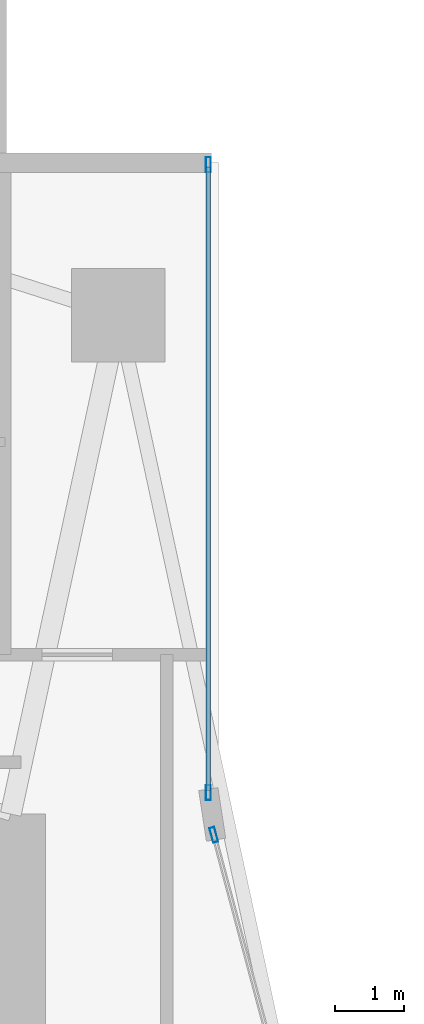
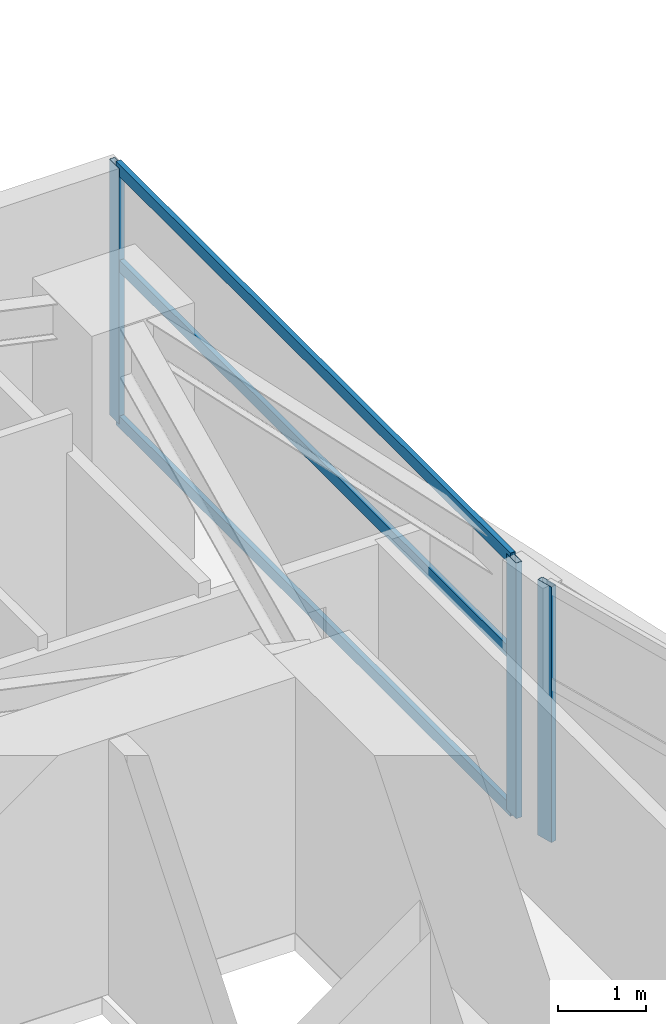
# One storey, part 18 of 30: 6 members, 2 elements without a shape of their own.
"""IFC4 building model written with IfcOpenShell, lengths in metres."""

from ifc_helpers import new_model, si_unit, direction, frame, origin, origin_2d, place, context, subcontext, project, spatial, hollow_rectangle, extrude, material, layer, layer_set, material_profile, profile_set, type_object, element, aggregate, save


model = new_model("IFC4")

# Units and contexts
model_context = context("Model", 3, precision=1e-05, world=origin(), true_north=direction((0.0, 1.0)))
body_context = subcontext(model_context, "Body", "Model", "MODEL_VIEW")
ifc_project = project(units=[si_unit("LENGTHUNIT", "METRE"), si_unit("AREAUNIT", "SQUARE_METRE"), si_unit("VOLUMEUNIT", "CUBIC_METRE"), si_unit("PLANEANGLEUNIT", "RADIAN"), si_unit("MASSUNIT", "GRAM", prefix="KILO")], contexts=[model_context])

# Site, building, storey
site_placement = place(None, origin())
site = spatial("IfcSite", under=ifc_project, at=site_placement, CompositionType="ELEMENT")
building_placement = place(site_placement, origin())
building = spatial("IfcBuilding", under=site, at=building_placement, Name="Calvorn Quay Hotel", CompositionType="ELEMENT")
storey_placement = place(building_placement, frame((0.0, 0.0, 27.0)))
storey = spatial("IfcBuildingStorey", under=building, at=storey_placement, Name="L05", CompositionType="ELEMENT", Elevation=27.0)

# Curtain wall, member
ifc_material_1 = material(Name="Pale Anodised Aluminium and Low-E Glass", Category="aluminium")
ifc_layer = layer(ifc_material_1, 0.219970703125)
ifc_layer_set = layer_set([ifc_layer], Name="CW-SYS-Z1")
curtain_wall_type = type_object("IfcCurtainWallType", Name="CW-SYS-Z1", PredefinedType="NOTDEFINED", material=ifc_layer_set)
curtain_wall_1_placement = place(storey_placement, origin())
curtain_wall_1 = element("IfcCurtainWall", 1, at=curtain_wall_1_placement, inside=storey, type_object=curtain_wall_type, Name="Inner Court Curtain Wall L05-IC1", PredefinedType="NOTDEFINED")
ifc_material_2 = material(Name="Pale Anodised Aluminium 6063-T6", Category="aluminium")
ifc_material_profile_1 = material_profile(ifc_material_2, hollow_rectangle(XDim=0.074951171875, YDim=0.219970703125, WallThickness=0.00439453125, at=origin_2d()), Name="ALU-M220x75x4.5")
ifc_profile_set_1 = profile_set([ifc_material_profile_1], Name="Pale Anodised Aluminium 6063-T6")
member_type_1 = type_object("IfcMemberType", Name="CW-SYS-Z1-MUL", PredefinedType="MULLION", material=ifc_profile_set_1)
member_1_placement = place(storey_placement, frame((17.9296875, 38.10107421875, 0.0), z_axis=(0.0, 0.0, 1.0), x_axis=(-0.96593652056, -0.25877913024, 0.0)))
member_1 = element("IfcMember", 2, at=member_1_placement, type_object=member_type_1, Name="CW-L05-IC1 mullion 2", PredefinedType="MULLION", context=body_context, shape_type="SweptSolid", body=[
    extrude(hollow_rectangle(XDim=0.074951171875, YDim=0.219970703125, WallThickness=0.00439453125, at=origin_2d()), origin(), (0.0, 0.0, 1.0), 3.56005859375),
])
aggregate(curtain_wall_1, [member_1])

# Curtain wall, members
curtain_wall_2_placement = place(storey_placement, origin())
curtain_wall_2 = element("IfcCurtainWall", 3, at=curtain_wall_2_placement, inside=storey, type_object=curtain_wall_type, Name="Inner Court Curtain Wall L05-IC2", PredefinedType="NOTDEFINED")
member_2_placement = place(storey_placement, frame((17.85009765625, 38.7099609375, 0.0), z_axis=(0.0, 0.0, 1.0), x_axis=(-1.0, 0.0, 0.0)))
member_2 = element("IfcMember", 4, at=member_2_placement, type_object=member_type_1, Name="CW-L05-IC2 mullion 1", PredefinedType="MULLION", context=body_context, shape_type="SweptSolid", body=[
    extrude(hollow_rectangle(XDim=0.074951171875, YDim=0.219970703125, WallThickness=0.00439453125, at=origin_2d()), origin(), (0.0, 0.0, 1.0), 3.56005859375),
])
member_3_placement = place(storey_placement, frame((17.85009765625, 47.77001953125, 0.0), z_axis=(0.0, 0.0, 1.0), x_axis=(-1.0, 0.0, 0.0)))
member_3 = element("IfcMember", 5, at=member_3_placement, type_object=member_type_1, Name="CW-L05-IC2 mullion 2", PredefinedType="MULLION", context=body_context, shape_type="SweptSolid", body=[
    extrude(hollow_rectangle(XDim=0.074951171875, YDim=0.219970703125, WallThickness=0.00439453125, at=origin_2d()), origin(), (0.0, 0.0, 1.0), 3.56005859375),
])
ifc_material_3 = material(Name="Pale Anodised Aluminium 6063-T6", Category="aluminium")
ifc_material_profile_2 = material_profile(ifc_material_3, hollow_rectangle(XDim=0.06494140625, YDim=0.1650390625, WallThickness=0.00341796875, at=origin_2d()), Name="ALU-T165x65x3.5")
ifc_profile_set_2 = profile_set([ifc_material_profile_2], Name="Pale Anodised Aluminium 6063-T6")
member_type_2 = type_object("IfcMemberType", Name="CW-SYS-Z1-TRN", PredefinedType="USERDEFINED", material=ifc_profile_set_2)
member_4_placement = place(storey_placement, frame((17.85009765625, 38.739990234375, 0.030029296875), z_axis=(0.0, 1.0, 0.0), x_axis=(-1.0, 0.0, 0.0)))
member_4 = element("IfcMember", 6, at=member_4_placement, type_object=member_type_2, Name="CW-L05-IC2 transom 1.1", ObjectType="TRANSOM", PredefinedType="USERDEFINED", context=body_context, shape_type="SweptSolid", body=[
    extrude(hollow_rectangle(XDim=0.06494140625, YDim=0.1650390625, WallThickness=0.00341796875, at=origin_2d()), origin(), (0.0, 0.0, 1.0), 9.0),
])
member_5_placement = place(storey_placement, frame((17.85009765625, 38.739990234375, 2.199951171875), z_axis=(0.0, 1.0, 0.0), x_axis=(-1.0, 0.0, 0.0)))
member_5 = element("IfcMember", 7, at=member_5_placement, type_object=member_type_2, Name="CW-L05-IC2 transom 1.2", ObjectType="TRANSOM", PredefinedType="USERDEFINED", context=body_context, shape_type="SweptSolid", body=[
    extrude(hollow_rectangle(XDim=0.06494140625, YDim=0.1650390625, WallThickness=0.00341796875, at=origin_2d()), origin(), (0.0, 0.0, 1.0), 9.0),
])
member_6_placement = place(storey_placement, frame((17.85009765625, 38.739990234375, 3.530029296875), z_axis=(0.0, 1.0, 0.0), x_axis=(-1.0, 0.0, 0.0)))
member_6 = element("IfcMember", 8, at=member_6_placement, type_object=member_type_2, Name="CW-L05-IC2 transom 1.3", ObjectType="TRANSOM", PredefinedType="USERDEFINED", context=body_context, shape_type="SweptSolid", body=[
    extrude(hollow_rectangle(XDim=0.06494140625, YDim=0.1650390625, WallThickness=0.00341796875, at=origin_2d()), origin(), (0.0, 0.0, 1.0), 9.0),
])
aggregate(curtain_wall_2, [member_2, member_3, member_4, member_5, member_6])

save(model, "model.ifc")
